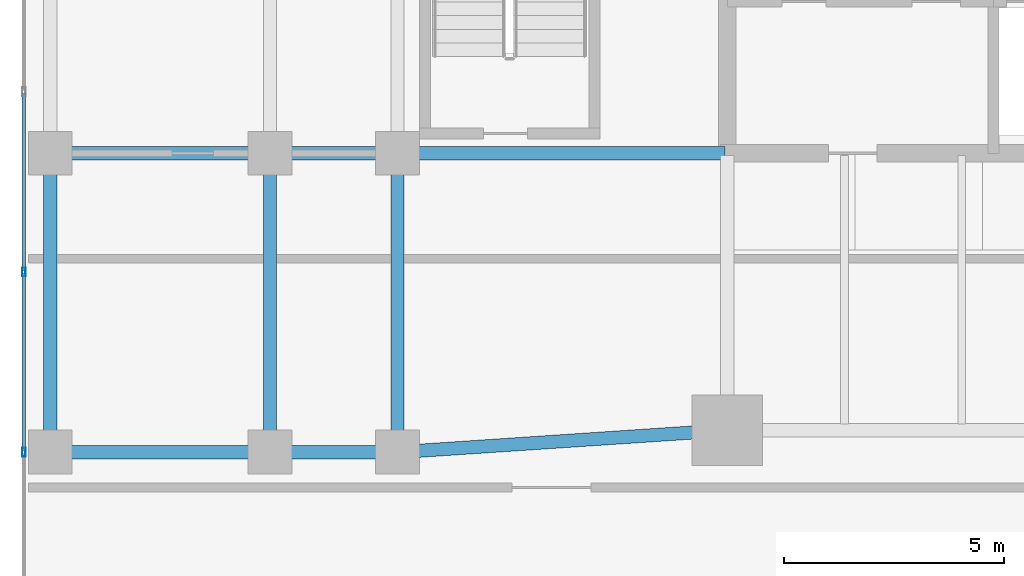
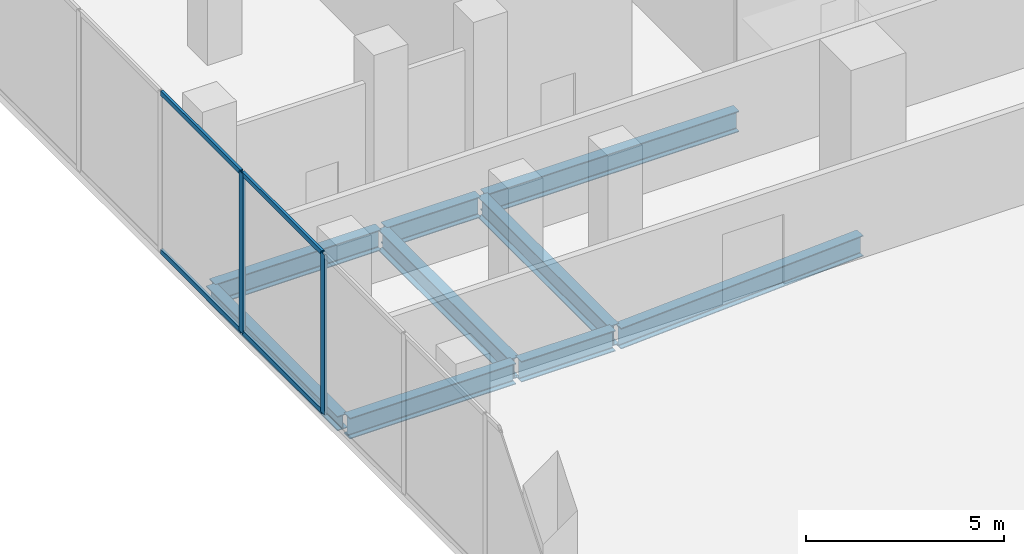
# One storey, part 8 of 24: 9 beams, 6 members, 1 element without a shape of its own.
"""IFC4 building model written with IfcOpenShell, lengths in metres."""

from ifc_helpers import new_model, si_unit, direction, frame, origin, origin_2d, place, context, subcontext, project, spatial, hollow_rectangle, i_section, extrude, material, layer, layer_set, material_profile, profile_set, type_object, element, aggregate, save


model = new_model("IFC4")

# Units and contexts
model_context = context("Model", 3, precision=1e-05, world=origin(), true_north=direction((0.0, 1.0)))
body_context = subcontext(model_context, "Body", "Model", "MODEL_VIEW")
ifc_project = project(units=[si_unit("LENGTHUNIT", "METRE"), si_unit("AREAUNIT", "SQUARE_METRE"), si_unit("VOLUMEUNIT", "CUBIC_METRE"), si_unit("PLANEANGLEUNIT", "RADIAN"), si_unit("MASSUNIT", "GRAM", prefix="KILO")], contexts=[model_context])

# Site, building, storey
site_placement = place(None, origin())
site = spatial("IfcSite", under=ifc_project, at=site_placement, CompositionType="ELEMENT")
building_placement = place(site_placement, origin())
building = spatial("IfcBuilding", under=site, at=building_placement, Name="Catumbela Crestline Tower", CompositionType="ELEMENT")
storey_placement = place(building_placement, frame((0.0, 0.0, 15.9)))
storey = spatial("IfcBuildingStorey", under=building, at=storey_placement, Name="L03", CompositionType="ELEMENT", Elevation=15.9)

# Beams
ifc_material_1 = material(Name="Structural steel S355J2", Category="steel")
ifc_material_profile_1 = material_profile(ifc_material_1, i_section(OverallWidth=0.3, OverallDepth=0.64, WebThickness=0.0135, FlangeThickness=0.026, FilletRadius=0.027, at=origin_2d()), Name="HEA 650")
ifc_profile_set_1 = profile_set([ifc_material_profile_1], Name="Structural steel S355J2")
beam_type_1 = type_object("IfcBeamType", Name="BG-HEA650", PredefinedType="BEAM", material=ifc_profile_set_1)
beam_1_placement = place(storey_placement, frame((0.68, 24.0, -0.64), z_axis=(1.0, 0.0, 0.0), x_axis=(0.0, 1.0, 0.0)))
element("IfcBeam", 1, at=beam_1_placement, inside=storey, type_object=beam_type_1, Name="L03 Beam BM-L03-S01", PredefinedType="BEAM", context=body_context, shape_type="SweptSolid", body=[
    extrude(i_section(OverallWidth=0.3, OverallDepth=0.64, WebThickness=0.0135, FlangeThickness=0.026, FilletRadius=0.027, at=origin_2d()), origin(), (0.0, 0.0, 1.0), 4.84),
])
beam_2_placement = place(storey_placement, frame((5.68, 24.0, -0.64), z_axis=(1.0, 0.0, 0.0), x_axis=(0.0, 1.0, 0.0)))
element("IfcBeam", 2, at=beam_2_placement, inside=storey, type_object=beam_type_1, Name="L03 Beam BM-L03-S02", PredefinedType="BEAM", context=body_context, shape_type="SweptSolid", body=[
    extrude(i_section(OverallWidth=0.3, OverallDepth=0.64, WebThickness=0.0135, FlangeThickness=0.026, FilletRadius=0.027, at=origin_2d()), origin(), (0.0, 0.0, 1.0), 2.74),
])
beam_3_placement = place(storey_placement, frame((8.5798, 24.0053, -0.64), z_axis=(0.997784796964, 0.066524423687, 0.0), x_axis=(-0.066524423687, 0.997784796964, 0.0)))
element("IfcBeam", 3, at=beam_3_placement, inside=storey, type_object=beam_type_1, Name="L03 Beam BM-L03-S03", PredefinedType="BEAM", context=body_context, shape_type="SweptSolid", body=[
    extrude(i_section(OverallWidth=0.3, OverallDepth=0.64, WebThickness=0.0135, FlangeThickness=0.026, FilletRadius=0.027, at=origin_2d()), origin(), (0.0, 0.0, 1.0), 7.3567),
])
beam_4_placement = place(storey_placement, frame((0.68, 30.8, -0.64), z_axis=(1.0, 0.0, 0.0), x_axis=(0.0, 1.0, 0.0)))
element("IfcBeam", 4, at=beam_4_placement, inside=storey, type_object=beam_type_1, Name="L03 Beam BM-L03-M07", PredefinedType="BEAM", context=body_context, shape_type="SweptSolid", body=[
    extrude(i_section(OverallWidth=0.3, OverallDepth=0.64, WebThickness=0.0135, FlangeThickness=0.026, FilletRadius=0.027, at=origin_2d()), origin(), (0.0, 0.0, 1.0), 4.84),
])
beam_5_placement = place(storey_placement, frame((5.68, 30.8, -0.64), z_axis=(1.0, 0.0, 0.0), x_axis=(0.0, 1.0, 0.0)))
element("IfcBeam", 5, at=beam_5_placement, inside=storey, type_object=beam_type_1, Name="L03 Beam BM-L03-M08", PredefinedType="BEAM", context=body_context, shape_type="SweptSolid", body=[
    extrude(i_section(OverallWidth=0.3, OverallDepth=0.64, WebThickness=0.0135, FlangeThickness=0.026, FilletRadius=0.027, at=origin_2d()), origin(), (0.0, 0.0, 1.0), 2.74),
])
beam_6_placement = place(storey_placement, frame((8.58, 30.8, -0.64), z_axis=(1.0, 0.0, 0.0), x_axis=(0.0, 1.0, 0.0)))
element("IfcBeam", 6, at=beam_6_placement, inside=storey, type_object=beam_type_1, Name="L03 Beam BM-L03-M09", PredefinedType="BEAM", context=body_context, shape_type="SweptSolid", body=[
    extrude(i_section(OverallWidth=0.3, OverallDepth=0.64, WebThickness=0.0135, FlangeThickness=0.026, FilletRadius=0.027, at=origin_2d()), origin(), (0.0, 0.0, 1.0), 7.37),
])
for number, where, z_axis, x_axis, name in (
    (7, (5.6, 24.08, -0.64), (0.0, 1.0, 0.0), (-1.0, 0.0, 0.0), "L03 Beam BM-L03-SN25"),
    (8, (8.5, 24.08, -0.64), (0.0, 1.0, 0.0), (-1.0, 0.0, 0.0), "L03 Beam BM-L03-SN27"),
):
    element("IfcBeam", number, at=place(storey_placement, frame(where, z_axis=z_axis, x_axis=x_axis)), inside=storey, type_object=beam_type_1, Name=name, PredefinedType="BEAM", context=body_context, shape_type="SweptSolid", body=[
        extrude(i_section(OverallWidth=0.3, OverallDepth=0.64, WebThickness=0.0135, FlangeThickness=0.026, FilletRadius=0.027, at=origin_2d()), origin(), (0.0, 0.0, 1.0), 6.64),
    ])

# Curtain wall, members
ifc_material_2 = material(Name="Aluminium alloy AW-6060-T66", Category="aluminium")
ifc_layer = layer(ifc_material_2, 0.18, Name="Aluminium alloy AW-6060-T66")
ifc_layer_set = layer_set([ifc_layer], Name="Aluminium alloy AW-6060-T66")
curtain_wall_type = type_object("IfcCurtainWallType", Name="CWS-POD", PredefinedType="USERDEFINED", material=ifc_layer_set)
curtain_wall_placement = place(storey_placement, origin())
curtain_wall = element("IfcCurtainWall", 9, at=curtain_wall_placement, inside=storey, type_object=curtain_wall_type, Name="L03 Stick Curtain Wall CW-L03-E9S1", ObjectType="STICK", PredefinedType="USERDEFINED")
ifc_material_profile_2 = material_profile(ifc_material_2, hollow_rectangle(XDim=0.075, YDim=0.2, WallThickness=0.005, at=origin_2d()), Name="ALU 200x75x5")
ifc_profile_set_2 = profile_set([ifc_material_profile_2], Name="Aluminium alloy AW-6060-T66")
member_type_1 = type_object("IfcMemberType", Name="MUL-200X75", PredefinedType="MULLION", material=ifc_profile_set_2)
member_1_placement = place(storey_placement, frame((0.0, 28.1, 0.0), z_axis=(0.0, 0.0, 1.0), x_axis=(1.0, 0.0, 0.0)))
member_1 = element("IfcMember", 10, at=member_1_placement, type_object=member_type_1, Name="CWS-POD mullion 5", PredefinedType="MULLION", context=body_context, shape_type="SweptSolid", body=[
    extrude(hollow_rectangle(XDim=0.075, YDim=0.2, WallThickness=0.005, at=origin_2d()), origin(), (0.0, 0.0, 1.0), 4.94),
])
member_2_placement = place(storey_placement, frame((0.0, 24.0, 0.0), z_axis=(0.0, 0.0, 1.0), x_axis=(1.0, 0.0, 0.0)))
member_2 = element("IfcMember", 11, at=member_2_placement, type_object=member_type_1, Name="CWS-POD mullion 6", PredefinedType="MULLION", context=body_context, shape_type="SweptSolid", body=[
    extrude(hollow_rectangle(XDim=0.075, YDim=0.2, WallThickness=0.005, at=origin_2d()), origin(), (0.0, 0.0, 1.0), 4.94),
])

# Beam
ifc_material_profile_3 = material_profile(ifc_material_1, i_section(OverallWidth=0.3, OverallDepth=0.45, WebThickness=0.014, FlangeThickness=0.026, FilletRadius=0.027, at=origin_2d()), Name="HEB 450")
ifc_profile_set_3 = profile_set([ifc_material_profile_3], Name="Structural steel S355J2")
beam_type_2 = type_object("IfcBeamType", Name="BS-HEB450", PredefinedType="SPANDREL", material=ifc_profile_set_3)
beam_7_placement = place(storey_placement, frame((0.6, 24.08, -0.545), z_axis=(0.0, 1.0, 0.0), x_axis=(-1.0, 0.0, 0.0)))
element("IfcBeam", 12, at=beam_7_placement, inside=storey, type_object=beam_type_2, Name="L03 Spandrel SP-L03-SN23", PredefinedType="SPANDREL", context=body_context, shape_type="SweptSolid", body=[
    extrude(i_section(OverallWidth=0.3, OverallDepth=0.45, WebThickness=0.014, FlangeThickness=0.026, FilletRadius=0.027, at=origin_2d()), origin(), (0.0, 0.0, 1.0), 6.64),
])

# Member
ifc_material_profile_4 = material_profile(ifc_material_2, hollow_rectangle(XDim=0.075, YDim=0.15, WallThickness=0.0045, at=origin_2d()), Name="ALU 150x75x4.5")
ifc_profile_set_4 = profile_set([ifc_material_profile_4], Name="Aluminium alloy AW-6060-T66")
member_type_2 = type_object("IfcMemberType", Name="TRN-150X75", PredefinedType="USERDEFINED", material=ifc_profile_set_4)
member_3_placement = place(storey_placement, frame((0.0, 32.1675, 0.03), z_axis=(0.0, -1.0, 0.0), x_axis=(1.0, 0.0, 0.0)))
member_3 = element("IfcMember", 13, at=member_3_placement, type_object=member_type_2, Name="CWS-POD transom 4.1", ObjectType="TRANSOM", PredefinedType="USERDEFINED", context=body_context, shape_type="SweptSolid", body=[
    extrude(hollow_rectangle(XDim=0.075, YDim=0.15, WallThickness=0.0045, at=origin_2d()), origin(), (0.0, 0.0, 1.0), 4.035),
])

member_4_placement = place(storey_placement, frame((0.0, 32.1675, 4.91), z_axis=(0.0, -1.0, 0.0), x_axis=(1.0, 0.0, 0.0)))
member_4 = element("IfcMember", 14, at=member_4_placement, type_object=member_type_2, Name="CWS-POD transom 4.2", ObjectType="TRANSOM", PredefinedType="USERDEFINED", context=body_context, shape_type="SweptSolid", body=[
    extrude(hollow_rectangle(XDim=0.075, YDim=0.15, WallThickness=0.0045, at=origin_2d()), origin(), (0.0, 0.0, 1.0), 4.035),
])

member_5_placement = place(storey_placement, frame((0.0, 28.0675, 0.03), z_axis=(0.0, -1.0, 0.0), x_axis=(1.0, 0.0, 0.0)))
member_5 = element("IfcMember", 15, at=member_5_placement, type_object=member_type_2, Name="CWS-POD transom 5.1", ObjectType="TRANSOM", PredefinedType="USERDEFINED", context=body_context, shape_type="SweptSolid", body=[
    extrude(hollow_rectangle(XDim=0.075, YDim=0.15, WallThickness=0.0045, at=origin_2d()), origin(), (0.0, 0.0, 1.0), 4.035),
])

member_6_placement = place(storey_placement, frame((0.0, 28.0675, 4.91), z_axis=(0.0, -1.0, 0.0), x_axis=(1.0, 0.0, 0.0)))
member_6 = element("IfcMember", 16, at=member_6_placement, type_object=member_type_2, Name="CWS-POD transom 5.2", ObjectType="TRANSOM", PredefinedType="USERDEFINED", context=body_context, shape_type="SweptSolid", body=[
    extrude(hollow_rectangle(XDim=0.075, YDim=0.15, WallThickness=0.0045, at=origin_2d()), origin(), (0.0, 0.0, 1.0), 4.035),
])

aggregate(curtain_wall, [member_1, member_2, member_3, member_4, member_5, member_6])

save(model, "model.ifc")
